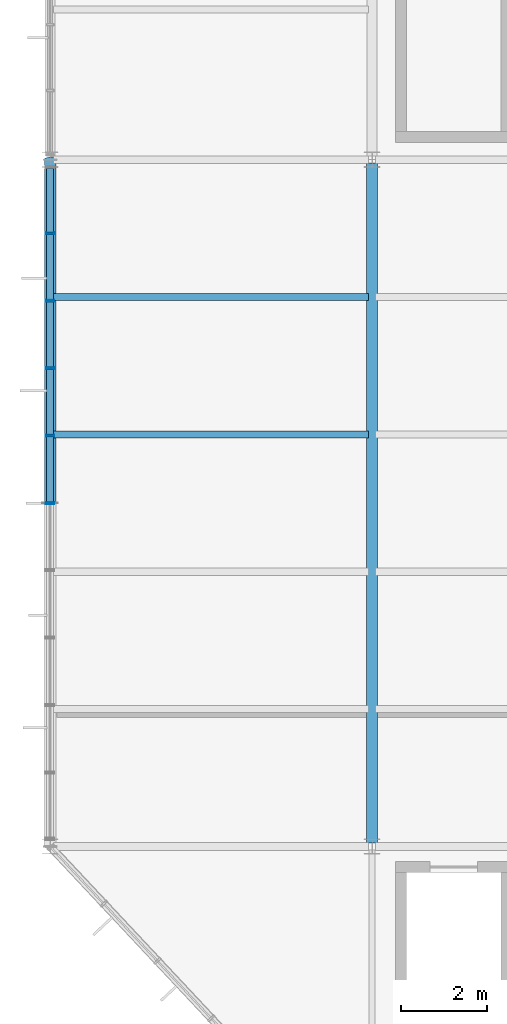
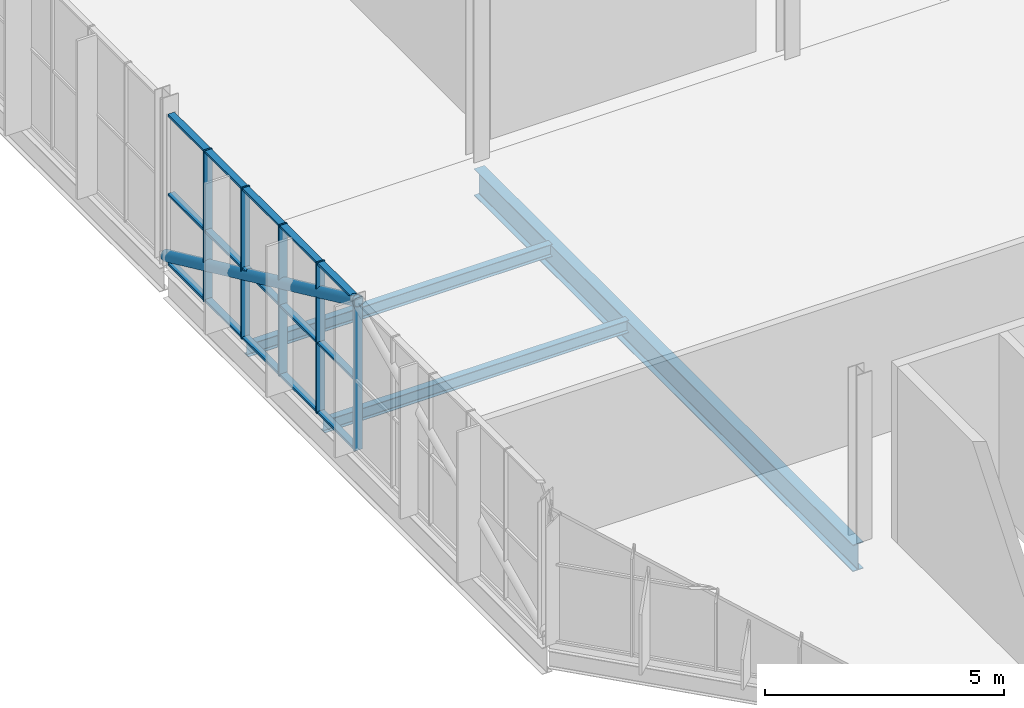
# One storey, part 22 of 324: 21 members, 3 beams, 1 element without a shape of its own.
"""IFC4 building model written with IfcOpenShell, lengths in metres."""

from ifc_helpers import new_model, si_unit, direction, frame, origin, origin_2d, place, context, subcontext, project, spatial, hollow_rectangle, hollow_circle, i_section, extrude, material, layer, layer_set, material_profile, profile_set, type_object, element, aggregate, save


model = new_model("IFC4")

# Units and contexts
model_context = context("Model", 3, precision=1e-05, world=origin(), true_north=direction((0.0, 1.0)))
body_context = subcontext(model_context, "Body", "Model", "MODEL_VIEW")
ifc_project = project(units=[si_unit("LENGTHUNIT", "METRE"), si_unit("AREAUNIT", "SQUARE_METRE"), si_unit("VOLUMEUNIT", "CUBIC_METRE"), si_unit("PLANEANGLEUNIT", "RADIAN"), si_unit("MASSUNIT", "GRAM", prefix="KILO")], contexts=[model_context])

# Site, building, storey
site_placement = place(None, origin())
site = spatial("IfcSite", under=ifc_project, at=site_placement, CompositionType="ELEMENT")
building_placement = place(site_placement, origin())
building = spatial("IfcBuilding", under=site, at=building_placement, Name="Solvenia Promenade Tram Depot", CompositionType="ELEMENT")
storey_placement = place(building_placement, frame((0.0, 0.0, 4.5)))
storey = spatial("IfcBuildingStorey", under=building, at=storey_placement, Name="L01", CompositionType="ELEMENT", Elevation=4.5)

# Member
ifc_material_1 = material(Name="Structural steel ASTM A500 Gr. C", Category="steel")
ifc_material_profile_1 = material_profile(ifc_material_1, hollow_circle(Radius=0.136474609375, WallThickness=0.010009765625, at=origin_2d()), Name="CHS273.0x10", Category="steel")
ifc_profile_set_1 = profile_set([ifc_material_profile_1], Name="Structural steel ASTM A500 Gr. C")
member_type_1 = type_object("IfcMemberType", Name="Brace-CHS273x10", PredefinedType="BRACE", material=ifc_profile_set_1)
member_1_placement = place(storey_placement, frame((0.0, 24.0, 0.10009765625), z_axis=(0.0, -0.907629151412, 0.419772942799), x_axis=(1.0, 0.0, 0.0)))
element("IfcMember", 1, at=member_1_placement, inside=storey, type_object=member_type_1, Name="PAC-DES Chevron Brace 13R", PredefinedType="BRACE", context=body_context, shape_type="SweptSolid", body=[
    extrude(hollow_circle(Radius=0.136474609375, WallThickness=0.010009765625, at=origin_2d()), origin(), (0.0, 0.0, 1.0), 8.814208984375),
])

# Curtain wall, members
ifc_material_2 = material(Name="Anodized aluminium AW-6063 T6", Category="aluminium")
ifc_layer = layer(ifc_material_2, 0.179931640625, Name="Anodized aluminium AW-6063 T6", Category="aluminium")
ifc_layer_set = layer_set([ifc_layer], Name="Anodized aluminium AW-6063 T6")
curtain_wall_type = type_object("IfcCurtainWallType", Name="CW-Solar-1500", PredefinedType="NOTDEFINED", material=ifc_layer_set)
curtain_wall_placement = place(storey_placement, origin())
curtain_wall = element("IfcCurtainWall", 2, at=curtain_wall_placement, inside=storey, type_object=curtain_wall_type, Name="Curtain Wall CW-V4W-L01", PredefinedType="NOTDEFINED")
ifc_material_profile_2 = material_profile(ifc_material_2, hollow_rectangle(XDim=0.199951171875, YDim=0.048095703125, WallThickness=0.00390625, at=origin_2d()), Name="ALU-M3", Category="aluminium")
ifc_profile_set_2 = profile_set([ifc_material_profile_2], Name="Anodized aluminium AW-6063 T6")
member_type_2 = type_object("IfcMemberType", Name="CWM-Mullion-3", PredefinedType="MULLION", material=ifc_profile_set_2)
member_2_placement = place(storey_placement, frame((0.0, 16.0, 0.0), z_axis=(0.0, 0.0, 1.0), x_axis=(-1.0, 0.0, 0.0)))
member_2 = element("IfcMember", 3, at=member_2_placement, type_object=member_type_2, Name="CW-7 mullion 6", PredefinedType="MULLION", context=body_context, shape_type="SweptSolid", body=[
    extrude(hollow_rectangle(XDim=0.199951171875, YDim=0.048095703125, WallThickness=0.00390625, at=origin_2d()), origin(), (0.0, 0.0, 1.0), 3.85009765625),
])
member_3_placement = place(storey_placement, frame((0.0, 17.570068359375, 0.0), z_axis=(0.0, 0.0, 1.0), x_axis=(-1.0, 0.0, 0.0)))
member_3 = element("IfcMember", 4, at=member_3_placement, type_object=member_type_2, Name="CW-7 mullion 7", PredefinedType="MULLION", context=body_context, shape_type="SweptSolid", body=[
    extrude(hollow_rectangle(XDim=0.199951171875, YDim=0.048095703125, WallThickness=0.00390625, at=origin_2d()), origin(), (0.0, 0.0, 1.0), 3.85009765625),
])
member_4_placement = place(storey_placement, frame((0.0, 19.139892578125, 0.0), z_axis=(0.0, 0.0, 1.0), x_axis=(-1.0, 0.0, 0.0)))
member_4 = element("IfcMember", 5, at=member_4_placement, type_object=member_type_2, Name="CW-7 mullion 8", PredefinedType="MULLION", context=body_context, shape_type="SweptSolid", body=[
    extrude(hollow_rectangle(XDim=0.199951171875, YDim=0.048095703125, WallThickness=0.00390625, at=origin_2d()), origin(), (0.0, 0.0, 1.0), 3.85009765625),
])
member_5_placement = place(storey_placement, frame((0.0, 20.7099609375, 0.0), z_axis=(0.0, 0.0, 1.0), x_axis=(-1.0, 0.0, 0.0)))
member_5 = element("IfcMember", 6, at=member_5_placement, type_object=member_type_2, Name="CW-7 mullion 9", PredefinedType="MULLION", context=body_context, shape_type="SweptSolid", body=[
    extrude(hollow_rectangle(XDim=0.199951171875, YDim=0.048095703125, WallThickness=0.00390625, at=origin_2d()), origin(), (0.0, 0.0, 1.0), 3.85009765625),
])
member_6_placement = place(storey_placement, frame((0.0, 22.280029296875, 0.0), z_axis=(0.0, 0.0, 1.0), x_axis=(-1.0, 0.0, 0.0)))
member_6 = element("IfcMember", 7, at=member_6_placement, type_object=member_type_2, Name="CW-7 mullion 10", PredefinedType="MULLION", context=body_context, shape_type="SweptSolid", body=[
    extrude(hollow_rectangle(XDim=0.199951171875, YDim=0.048095703125, WallThickness=0.00390625, at=origin_2d()), origin(), (0.0, 0.0, 1.0), 3.85009765625),
])
ifc_material_profile_3 = material_profile(ifc_material_2, hollow_rectangle(XDim=0.159912109375, YDim=0.05810546875, WallThickness=0.00390625, at=origin_2d()), Name="ALU-T3", Category="aluminium")
ifc_profile_set_3 = profile_set([ifc_material_profile_3], Name="Anodized aluminium AW-6063 T6")
member_type_3 = type_object("IfcMemberType", Name="CWT-Transom-3", PredefinedType="USERDEFINED", material=ifc_profile_set_3)
member_7_placement = place(storey_placement, frame((0.0, 16.02392578125, 0.029052734375), z_axis=(0.0, 1.0, 0.0), x_axis=(-1.0, 0.0, 0.0)))
member_7 = element("IfcMember", 8, at=member_7_placement, type_object=member_type_3, Name="CW-7 transom 6.1", ObjectType="TRANSOM", PredefinedType="USERDEFINED", context=body_context, shape_type="SweptSolid", body=[
    extrude(hollow_rectangle(XDim=0.159912109375, YDim=0.05810546875, WallThickness=0.00390625, at=origin_2d()), origin(), (0.0, 0.0, 1.0), 1.52197265625),
])
member_8_placement = place(storey_placement, frame((0.0, 16.02392578125, 1.800048828125), z_axis=(0.0, 1.0, 0.0), x_axis=(-1.0, 0.0, 0.0)))
member_8 = element("IfcMember", 9, at=member_8_placement, type_object=member_type_3, Name="CW-7 transom 6.2", ObjectType="TRANSOM", PredefinedType="USERDEFINED", context=body_context, shape_type="SweptSolid", body=[
    extrude(hollow_rectangle(XDim=0.159912109375, YDim=0.05810546875, WallThickness=0.00390625, at=origin_2d()), origin(), (0.0, 0.0, 1.0), 1.52197265625),
])
member_9_placement = place(storey_placement, frame((0.0, 16.02392578125, 3.821044921875), z_axis=(0.0, 1.0, 0.0), x_axis=(-1.0, 0.0, 0.0)))
member_9 = element("IfcMember", 10, at=member_9_placement, type_object=member_type_3, Name="CW-7 transom 6.3", ObjectType="TRANSOM", PredefinedType="USERDEFINED", context=body_context, shape_type="SweptSolid", body=[
    extrude(hollow_rectangle(XDim=0.159912109375, YDim=0.05810546875, WallThickness=0.00390625, at=origin_2d()), origin(), (0.0, 0.0, 1.0), 1.52197265625),
])
member_10_placement = place(storey_placement, frame((0.0, 17.593994140625, 0.029052734375), z_axis=(0.0, 1.0, 0.0), x_axis=(-1.0, 0.0, 0.0)))
member_10 = element("IfcMember", 11, at=member_10_placement, type_object=member_type_3, Name="CW-7 transom 7.1", ObjectType="TRANSOM", PredefinedType="USERDEFINED", context=body_context, shape_type="SweptSolid", body=[
    extrude(hollow_rectangle(XDim=0.159912109375, YDim=0.05810546875, WallThickness=0.00390625, at=origin_2d()), origin(), (0.0, 0.0, 1.0), 1.52197265625),
])
member_11_placement = place(storey_placement, frame((0.0, 17.593994140625, 1.800048828125), z_axis=(0.0, 1.0, 0.0), x_axis=(-1.0, 0.0, 0.0)))
member_11 = element("IfcMember", 12, at=member_11_placement, type_object=member_type_3, Name="CW-7 transom 7.2", ObjectType="TRANSOM", PredefinedType="USERDEFINED", context=body_context, shape_type="SweptSolid", body=[
    extrude(hollow_rectangle(XDim=0.159912109375, YDim=0.05810546875, WallThickness=0.00390625, at=origin_2d()), origin(), (0.0, 0.0, 1.0), 1.52197265625),
])
member_12_placement = place(storey_placement, frame((0.0, 17.593994140625, 3.821044921875), z_axis=(0.0, 1.0, 0.0), x_axis=(-1.0, 0.0, 0.0)))
member_12 = element("IfcMember", 13, at=member_12_placement, type_object=member_type_3, Name="CW-7 transom 7.3", ObjectType="TRANSOM", PredefinedType="USERDEFINED", context=body_context, shape_type="SweptSolid", body=[
    extrude(hollow_rectangle(XDim=0.159912109375, YDim=0.05810546875, WallThickness=0.00390625, at=origin_2d()), origin(), (0.0, 0.0, 1.0), 1.52197265625),
])
member_13_placement = place(storey_placement, frame((0.0, 19.1640625, 0.029052734375), z_axis=(0.0, 1.0, 0.0), x_axis=(-1.0, 0.0, 0.0)))
member_13 = element("IfcMember", 14, at=member_13_placement, type_object=member_type_3, Name="CW-7 transom 8.1", ObjectType="TRANSOM", PredefinedType="USERDEFINED", context=body_context, shape_type="SweptSolid", body=[
    extrude(hollow_rectangle(XDim=0.159912109375, YDim=0.05810546875, WallThickness=0.00390625, at=origin_2d()), origin(), (0.0, 0.0, 1.0), 1.52197265625),
])
member_14_placement = place(storey_placement, frame((0.0, 19.1640625, 1.800048828125), z_axis=(0.0, 1.0, 0.0), x_axis=(-1.0, 0.0, 0.0)))
member_14 = element("IfcMember", 15, at=member_14_placement, type_object=member_type_3, Name="CW-7 transom 8.2", ObjectType="TRANSOM", PredefinedType="USERDEFINED", context=body_context, shape_type="SweptSolid", body=[
    extrude(hollow_rectangle(XDim=0.159912109375, YDim=0.05810546875, WallThickness=0.00390625, at=origin_2d()), origin(), (0.0, 0.0, 1.0), 1.52197265625),
])
member_15_placement = place(storey_placement, frame((0.0, 19.1640625, 3.821044921875), z_axis=(0.0, 1.0, 0.0), x_axis=(-1.0, 0.0, 0.0)))
member_15 = element("IfcMember", 16, at=member_15_placement, type_object=member_type_3, Name="CW-7 transom 8.3", ObjectType="TRANSOM", PredefinedType="USERDEFINED", context=body_context, shape_type="SweptSolid", body=[
    extrude(hollow_rectangle(XDim=0.159912109375, YDim=0.05810546875, WallThickness=0.00390625, at=origin_2d()), origin(), (0.0, 0.0, 1.0), 1.52197265625),
])
member_16_placement = place(storey_placement, frame((0.0, 20.73388671875, 0.029052734375), z_axis=(0.0, 1.0, 0.0), x_axis=(-1.0, 0.0, 0.0)))
member_16 = element("IfcMember", 17, at=member_16_placement, type_object=member_type_3, Name="CW-7 transom 9.1", ObjectType="TRANSOM", PredefinedType="USERDEFINED", context=body_context, shape_type="SweptSolid", body=[
    extrude(hollow_rectangle(XDim=0.159912109375, YDim=0.05810546875, WallThickness=0.00390625, at=origin_2d()), origin(), (0.0, 0.0, 1.0), 1.522216796875),
])
member_17_placement = place(storey_placement, frame((0.0, 20.73388671875, 1.800048828125), z_axis=(0.0, 1.0, 0.0), x_axis=(-1.0, 0.0, 0.0)))
member_17 = element("IfcMember", 18, at=member_17_placement, type_object=member_type_3, Name="CW-7 transom 9.2", ObjectType="TRANSOM", PredefinedType="USERDEFINED", context=body_context, shape_type="SweptSolid", body=[
    extrude(hollow_rectangle(XDim=0.159912109375, YDim=0.05810546875, WallThickness=0.00390625, at=origin_2d()), origin(), (0.0, 0.0, 1.0), 1.522216796875),
])
member_18_placement = place(storey_placement, frame((0.0, 20.73388671875, 3.821044921875), z_axis=(0.0, 1.0, 0.0), x_axis=(-1.0, 0.0, 0.0)))
member_18 = element("IfcMember", 19, at=member_18_placement, type_object=member_type_3, Name="CW-7 transom 9.3", ObjectType="TRANSOM", PredefinedType="USERDEFINED", context=body_context, shape_type="SweptSolid", body=[
    extrude(hollow_rectangle(XDim=0.159912109375, YDim=0.05810546875, WallThickness=0.00390625, at=origin_2d()), origin(), (0.0, 0.0, 1.0), 1.522216796875),
])
member_19_placement = place(storey_placement, frame((0.0, 22.303955078125, 0.029052734375), z_axis=(0.0, 1.0, 0.0), x_axis=(-1.0, 0.0, 0.0)))
member_19 = element("IfcMember", 20, at=member_19_placement, type_object=member_type_3, Name="CW-7 transom 10.1", ObjectType="TRANSOM", PredefinedType="USERDEFINED", context=body_context, shape_type="SweptSolid", body=[
    extrude(hollow_rectangle(XDim=0.159912109375, YDim=0.05810546875, WallThickness=0.00390625, at=origin_2d()), origin(), (0.0, 0.0, 1.0), 1.498046875),
])
member_20_placement = place(storey_placement, frame((0.0, 22.303955078125, 1.800048828125), z_axis=(0.0, 1.0, 0.0), x_axis=(-1.0, 0.0, 0.0)))
member_20 = element("IfcMember", 21, at=member_20_placement, type_object=member_type_3, Name="CW-7 transom 10.2", ObjectType="TRANSOM", PredefinedType="USERDEFINED", context=body_context, shape_type="SweptSolid", body=[
    extrude(hollow_rectangle(XDim=0.159912109375, YDim=0.05810546875, WallThickness=0.00390625, at=origin_2d()), origin(), (0.0, 0.0, 1.0), 1.498046875),
])
member_21_placement = place(storey_placement, frame((0.0, 22.303955078125, 3.821044921875), z_axis=(0.0, 1.0, 0.0), x_axis=(-1.0, 0.0, 0.0)))
member_21 = element("IfcMember", 22, at=member_21_placement, type_object=member_type_3, Name="CW-7 transom 10.3", ObjectType="TRANSOM", PredefinedType="USERDEFINED", context=body_context, shape_type="SweptSolid", body=[
    extrude(hollow_rectangle(XDim=0.159912109375, YDim=0.05810546875, WallThickness=0.00390625, at=origin_2d()), origin(), (0.0, 0.0, 1.0), 1.498046875),
])
aggregate(curtain_wall, [member_2, member_3, member_4, member_5, member_6, member_7, member_8, member_9, member_10, member_11, member_12, member_13, member_14, member_15, member_16, member_17, member_18, member_19, member_20, member_21])

# Beams
ifc_material_3 = material(Name="Structural steel ASTM A992 Gr. 50", Category="steel")
ifc_material_profile_4 = material_profile(ifc_material_3, i_section(OverallWidth=0.25390625, OverallDepth=0.68408203125, WebThickness=0.012451171875, FlangeThickness=0.018798828125, FilletRadius=0.01611328125, at=origin_2d()), Name="W690x140", Category="steel")
ifc_profile_set_4 = profile_set([ifc_material_profile_4], Name="Structural steel ASTM A992 Gr. 50")
beam_type_1 = type_object("IfcBeamType", Name="Gird-W690x140", PredefinedType="BEAM", material=ifc_profile_set_4)
beam_placement = place(storey_placement, frame((7.5, 8.0849609375, -0.56201171875), z_axis=(0.0, 1.0, 0.0), x_axis=(-1.0, 0.0, 0.0)))
element("IfcBeam", 23, at=beam_placement, inside=storey, type_object=beam_type_1, Name="Transverse Girder BM-L01-0332", PredefinedType="BEAM", context=body_context, shape_type="SweptSolid", body=[
    extrude(i_section(OverallWidth=0.25390625, OverallDepth=0.68408203125, WebThickness=0.012451171875, FlangeThickness=0.018798828125, FilletRadius=0.01611328125, at=origin_2d()), origin(), (0.0, 0.0, 1.0), 15.830078125),
])
ifc_material_profile_5 = material_profile(ifc_material_3, i_section(OverallWidth=0.166015625, OverallDepth=0.31298828125, WebThickness=0.006591796875, FlangeThickness=0.01123046875, FilletRadius=0.010009765625, at=origin_2d()), Name="W310x45", Category="steel")
ifc_profile_set_5 = profile_set([ifc_material_profile_5], Name="Structural steel ASTM A992 Gr. 50")
beam_type_2 = type_object("IfcBeamType", Name="Joist-W310x45", PredefinedType="JOIST", material=ifc_profile_set_5)
for number, where, z_axis, x_axis, name in (
    (24, (0.0849609375, 17.60009765625, -0.37646484375), (1.0, 0.0, 0.0), (0.0, 1.0, 0.0), "Secondary Floor Joist BM-L01-0358"),
    (25, (0.0849609375, 20.800048828125, -0.37646484375), (1.0, 0.0, 0.0), (0.0, 1.0, 0.0), "Secondary Floor Joist BM-L01-0359"),
):
    element("IfcBeam", number, at=place(storey_placement, frame(where, z_axis=z_axis, x_axis=x_axis)), inside=storey, type_object=beam_type_2, Name=name, PredefinedType="JOIST", context=body_context, shape_type="SweptSolid", body=[
        extrude(i_section(OverallWidth=0.166015625, OverallDepth=0.31298828125, WebThickness=0.006591796875, FlangeThickness=0.01123046875, FilletRadius=0.010009765625, at=origin_2d()), origin(), (0.0, 0.0, 1.0), 7.330078125),
    ])

save(model, "model.ifc")
